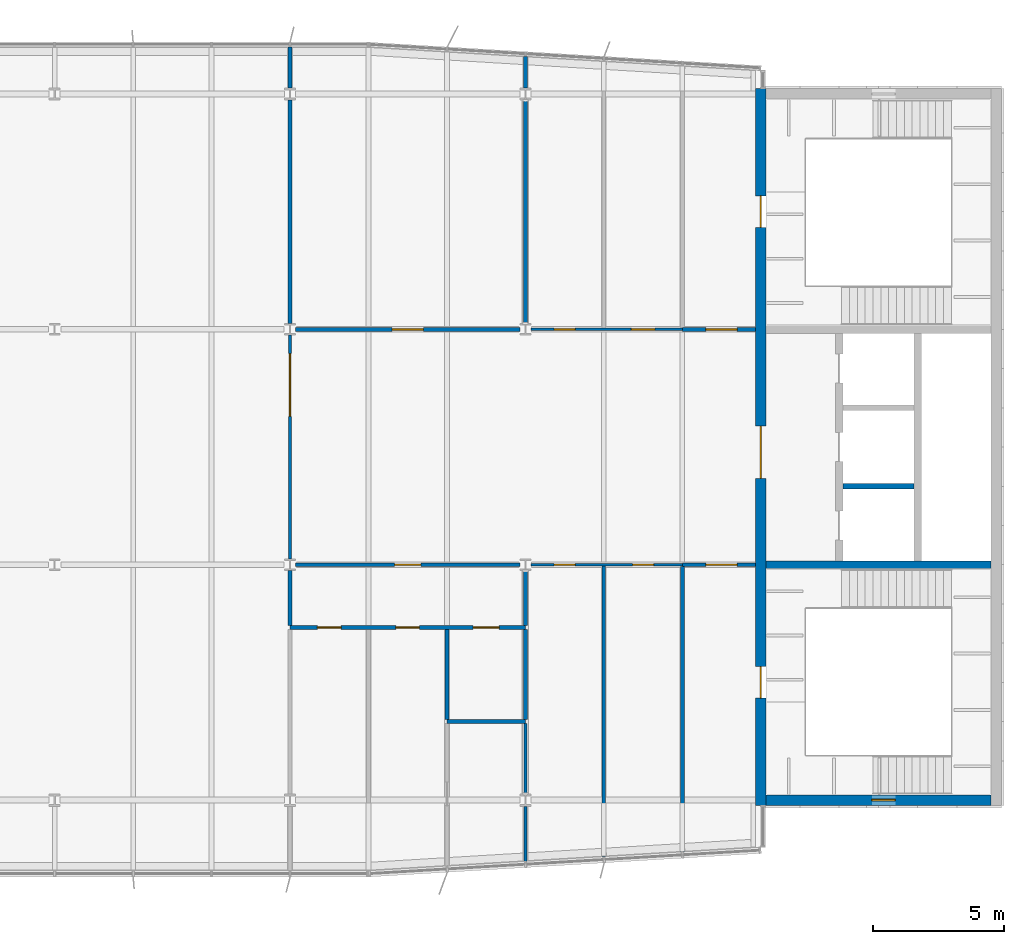
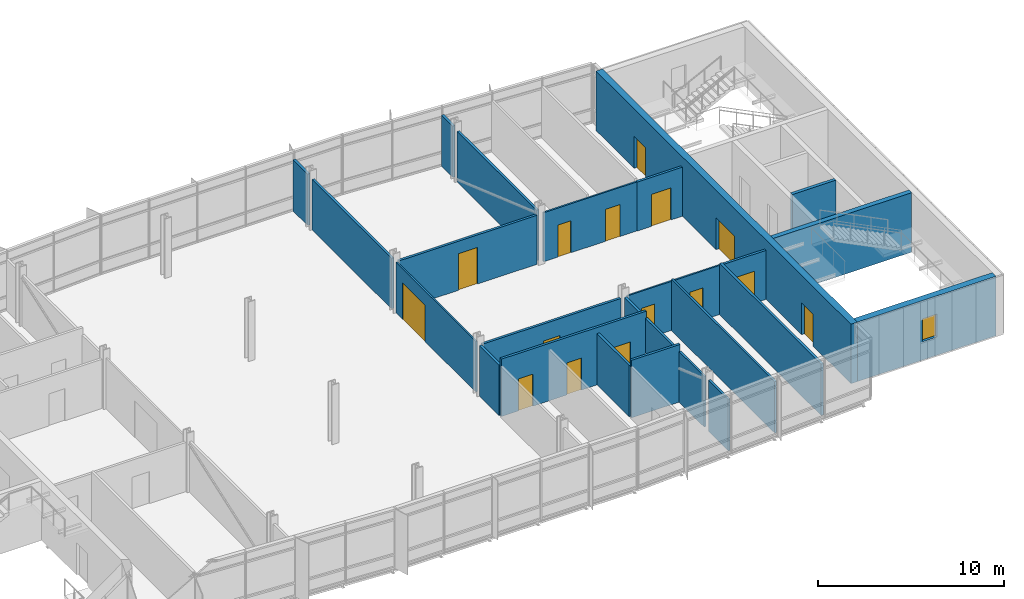
# One storey, part 16 of 21: 25 walls, 15 doors, 1 window, 16 openings.
"""IFC4 building model written with IfcOpenShell, lengths in metres."""

from ifc_helpers import new_model, si_unit, direction, frame, frame_2d, origin, place, context, subcontext, project, spatial, rectangle, extrude, material, layer, layer_set, type_object, element, fill, save


model = new_model("IFC4")

# Units and contexts
model_context = context("Model", 3, precision=1e-05, world=origin(), true_north=direction((0.0, 1.0)))
body_context = subcontext(model_context, "Body", "Model", "MODEL_VIEW")
ifc_project = project(units=[si_unit("LENGTHUNIT", "METRE"), si_unit("AREAUNIT", "SQUARE_METRE"), si_unit("VOLUMEUNIT", "CUBIC_METRE"), si_unit("PLANEANGLEUNIT", "RADIAN"), si_unit("MASSUNIT", "GRAM", prefix="KILO")], contexts=[model_context])

# Site, building, storey
site_placement = place(None, origin())
site = spatial("IfcSite", under=ifc_project, at=site_placement, CompositionType="ELEMENT")
building_placement = place(site_placement, origin())
building = spatial("IfcBuilding", under=site, at=building_placement, Name="Azimuth Sports and Learning Centre", CompositionType="ELEMENT")
storey_placement = place(building_placement, frame((0.0, 0.0, 32.39990234375)))
storey = spatial("IfcBuildingStorey", under=building, at=storey_placement, Name="L06", CompositionType="ELEMENT", Elevation=32.39990234375)

# Wall
ifc_material_1 = material(Name="Dense masonry blockwork", Category="masonry")
ifc_layer_1 = layer(ifc_material_1, 0.199951171875)
ifc_layer_set_1 = layer_set([ifc_layer_1], Name="Dense masonry blockwork")
wall_type_1 = type_object("IfcWallType", Name="Blockwork wall 200 EI 120", PredefinedType="SOLIDWALL", material=ifc_layer_set_1)
wall_1_placement = place(storey_placement, frame((111.14990234375, 102.0, 0.0), z_axis=(0.0, 0.0, 1.0), x_axis=(1.0, 0.0, 0.0)))
element("IfcWall", 1, at=wall_1_placement, inside=storey, type_object=wall_type_1, Name="SD-E-1-L06", PredefinedType="SOLIDWALL", context=body_context, shape_type="SweptSolid", body=[
    extrude(rectangle(XDim=2.7001953125, YDim=0.199951171875, at=frame_2d((1.35009765625, 0.0))), origin(), (0.0, 0.0, 1.0), 3.900146484375),
])

# Wall, openings, doors
ifc_material_2 = material(Name="Gypsum board on steel studs", Category="steel")
ifc_layer_2 = layer(ifc_material_2, 0.10009765625)
ifc_layer_set_2 = layer_set([ifc_layer_2], Name="Gypsum board on steel studs")
wall_type_2 = type_object("IfcWallType", Name="Partition 100 EI 30", PredefinedType="PARTITIONING", material=ifc_layer_set_2)
wall_2_placement = place(storey_placement, frame((99.2060546875, 99.0, 0.0), z_axis=(0.0, 0.0, 1.0), x_axis=(1.0, 0.0, 0.0)))
wall_2 = element("IfcWall", 2, at=wall_2_placement, inside=storey, type_object=wall_type_2, Name="Partition Dry Food Store 06.14 / Cold Store 06.15", PredefinedType="PARTITIONING", context=body_context, shape_type="SweptSolid", body=[
    extrude(rectangle(XDim=5.7939453125, YDim=0.10009765625, at=frame_2d((2.89697265625, 0.0))), origin(), (0.0, 0.0, 1.0), 3.22021484375),
])
opening_1_placement = place(wall_2_placement, frame((0.89404296875, 0.0, 0.0)))
opening_1 = element("IfcOpeningElement", 3, at=opening_1_placement, cuts=wall_2, Name="Opening D06-019", PredefinedType="OPENING", context=body_context, shape_type="SweptSolid", body=[
    extrude(rectangle(XDim=0.800048828125, YDim=2.10009765625, at=frame_2d((0.39990234375, 1.050048828125))), frame((0.0, 0.06103515625, 0.0), z_axis=(0.0, -1.0, 0.0), x_axis=(1.0, 0.0, 0.0)), (0.0, 0.0, 1.0), 0.1220703125),
])
opening_2_placement = place(wall_2_placement, frame((3.89404296875, 0.0, 0.0)))
opening_2 = element("IfcOpeningElement", 4, at=opening_2_placement, cuts=wall_2, Name="Opening D06-020", PredefinedType="OPENING", context=body_context, shape_type="SweptSolid", body=[
    extrude(rectangle(XDim=0.800048828125, YDim=2.10009765625, at=frame_2d((0.39990234375, 1.050048828125))), frame((0.0, 0.06103515625, 0.0), z_axis=(0.0, -1.0, 0.0), x_axis=(1.0, 0.0, 0.0)), (0.0, 0.0, 1.0), 0.1220703125),
])
ifc_material_3 = material(Name="Painted steel door set", Category="steel")
door_type_1 = type_object("IfcDoorType", Name="Fire door FD30S 800 x 2100", OperationType="NOTDEFINED", PredefinedType="DOOR", material=ifc_material_3)
door_1_placement = place(opening_1_placement, frame((0.800048828125, 0.0, 0.0), z_axis=(0.0, 0.0, 1.0), x_axis=(-1.0, 0.0, 0.0)))
door_1 = element("IfcDoor", 5, at=door_1_placement, inside=storey, type_object=door_type_1, Name="Door Dry Food Store 06.14 / Learning Street East", OperationType="SINGLE_SWING_RIGHT", OverallHeight=2.10009765625, OverallWidth=0.800048828125, PredefinedType="DOOR", context=body_context, shape_type="SweptSolid", body=[
    extrude(rectangle(XDim=0.800048828125, YDim=2.10009765625, at=frame_2d((0.39990234375, 1.050048828125))), frame((0.0, 0.02490234375, 0.0), z_axis=(0.0, -1.0, 0.0), x_axis=(1.0, 0.0, 0.0)), (0.0, 0.0, 1.0), 0.050048828125),
])
fill(opening_1, door_1)
door_2_placement = place(opening_2_placement, frame((0.800048828125, 0.0, 0.0), z_axis=(0.0, 0.0, 1.0), x_axis=(-1.0, 0.0, 0.0)))
door_2 = element("IfcDoor", 6, at=door_2_placement, inside=storey, type_object=door_type_1, Name="Door Cold Store 06.15 / Learning Street East", OperationType="SINGLE_SWING_LEFT", OverallHeight=2.10009765625, OverallWidth=0.800048828125, PredefinedType="DOOR", context=body_context, shape_type="SweptSolid", body=[
    extrude(rectangle(XDim=0.800048828125, YDim=2.10009765625, at=frame_2d((0.39990234375, 1.050048828125))), frame((0.0, 0.02490234375, 0.0), z_axis=(0.0, -1.0, 0.0), x_axis=(1.0, 0.0, 0.0)), (0.0, 0.0, 1.0), 0.050048828125),
])
fill(opening_2, door_2)

wall_3_placement = place(storey_placement, frame((99.2060546875, 108.0, 0.0), z_axis=(0.0, 0.0, 1.0), x_axis=(1.0, 0.0, 0.0)))
wall_3 = element("IfcWall", 7, at=wall_3_placement, inside=storey, type_object=wall_type_2, Name="Partition Cleaner Store 06.20 / Administration Office 06.21", PredefinedType="PARTITIONING", context=body_context, shape_type="SweptSolid", body=[
    extrude(rectangle(XDim=5.7939453125, YDim=0.10009765625, at=frame_2d((2.89697265625, 0.0))), origin(), (0.0, 0.0, 1.0), 3.22021484375),
])
opening_3_placement = place(wall_3_placement, frame((0.89404296875, 0.0, 0.0)))
opening_3 = element("IfcOpeningElement", 8, at=opening_3_placement, cuts=wall_3, Name="Opening D06-023", PredefinedType="OPENING", context=body_context, shape_type="SweptSolid", body=[
    extrude(rectangle(XDim=0.800048828125, YDim=2.10009765625, at=frame_2d((0.39990234375, 1.050048828125))), frame((0.0, 0.06103515625, 0.0), z_axis=(0.0, -1.0, 0.0), x_axis=(1.0, 0.0, 0.0)), (0.0, 0.0, 1.0), 0.1220703125),
])
opening_4_placement = place(wall_3_placement, frame((3.843994140625, 0.0, 0.0)))
opening_4 = element("IfcOpeningElement", 9, at=opening_4_placement, cuts=wall_3, Name="Opening D06-024", PredefinedType="OPENING", context=body_context, shape_type="SweptSolid", body=[
    extrude(rectangle(XDim=0.89990234375, YDim=2.10009765625, at=frame_2d((0.449951171875, 1.050048828125))), frame((0.0, 0.06103515625, 0.0), z_axis=(0.0, -1.0, 0.0), x_axis=(1.0, 0.0, 0.0)), (0.0, 0.0, 1.0), 0.1220703125),
])
door_3_placement = place(opening_3_placement, origin())
door_3 = element("IfcDoor", 10, at=door_3_placement, inside=storey, type_object=door_type_1, Name="Door Cleaner Store 06.20 / Learning Street East", OperationType="SINGLE_SWING_LEFT", OverallHeight=2.10009765625, OverallWidth=0.800048828125, PredefinedType="DOOR", context=body_context, shape_type="SweptSolid", body=[
    extrude(rectangle(XDim=0.800048828125, YDim=2.10009765625, at=frame_2d((0.39990234375, 1.050048828125))), frame((0.0, 0.02490234375, 0.0), z_axis=(0.0, -1.0, 0.0), x_axis=(1.0, 0.0, 0.0)), (0.0, 0.0, 1.0), 0.050048828125),
])
fill(opening_3, door_3)
ifc_material_4 = material(Name="Painted steel door set", Category="steel")
door_type_2 = type_object("IfcDoorType", Name="Fire door FD30S 900 x 2100", OperationType="NOTDEFINED", PredefinedType="DOOR", material=ifc_material_4)
door_4_placement = place(opening_4_placement, origin())
door_4 = element("IfcDoor", 11, at=door_4_placement, inside=storey, type_object=door_type_2, Name="Door Administration Office 06.21 / Learning Street East", OperationType="SINGLE_SWING_RIGHT", OverallHeight=2.10009765625, OverallWidth=0.89990234375, PredefinedType="DOOR", context=body_context, shape_type="SweptSolid", body=[
    extrude(rectangle(XDim=0.89990234375, YDim=2.10009765625, at=frame_2d((0.449951171875, 1.050048828125))), frame((0.0, 0.02490234375, 0.0), z_axis=(0.0, -1.0, 0.0), x_axis=(1.0, 0.0, 0.0)), (0.0, 0.0, 1.0), 0.050048828125),
])
fill(opening_4, door_4)

# Wall, opening, door
wall_4_placement = place(storey_placement, frame((90.0, 99.217529296875, 0.0), z_axis=(0.0, 0.0, 1.0), x_axis=(0.0, 1.0, 0.0)))
wall_4 = element("IfcWall", 12, at=wall_4_placement, inside=storey, type_object=wall_type_2, Name="Partition Canteen 06.08 / Learning Street East", PredefinedType="PARTITIONING", context=body_context, shape_type="SweptSolid", body=[
    extrude(rectangle(XDim=8.56494140625, YDim=0.10009765625, at=frame_2d((4.282470703125, 0.0))), origin(), (0.0, 0.0, 1.0), 3.320068359375),
])
opening_5_placement = place(wall_4_placement, frame((5.45751953125, 0.0, 0.0)))
opening_5 = element("IfcOpeningElement", 13, at=opening_5_placement, cuts=wall_4, Name="Opening D06-017", PredefinedType="OPENING", context=body_context, shape_type="SweptSolid", body=[
    extrude(rectangle(XDim=2.39990234375, YDim=2.39990234375, at=frame_2d((1.199951171875, 1.199951171875))), frame((0.0, 0.06103515625, 0.0), z_axis=(0.0, -1.0, 0.0), x_axis=(1.0, 0.0, 0.0)), (0.0, 0.0, 1.0), 0.1220703125),
])
ifc_material_5 = material(Name="Painted steel door set", Category="steel")
door_type_3 = type_object("IfcDoorType", Name="Fire door FD30S 2400 x 2400 double leaf", OperationType="DOUBLE_DOOR_SINGLE_SWING", PredefinedType="DOOR", material=ifc_material_5)
door_5_placement = place(opening_5_placement, origin())
door_5 = element("IfcDoor", 14, at=door_5_placement, inside=storey, type_object=door_type_3, Name="Door Canteen 06.08 / Learning Street East", OperationType="DOUBLE_DOOR_SINGLE_SWING", OverallHeight=2.39990234375, OverallWidth=2.39990234375, PredefinedType="DOOR", context=body_context, shape_type="SweptSolid", body=[
    extrude(rectangle(XDim=2.39990234375, YDim=2.39990234375, at=frame_2d((1.199951171875, 1.199951171875))), frame((0.0, 0.02490234375, 0.0), z_axis=(0.0, -1.0, 0.0), x_axis=(1.0, 0.0, 0.0)), (0.0, 0.0, 1.0), 0.050048828125),
])
fill(opening_5, door_5)

# Walls
ifc_material_6 = material(Name="Gypsum board on steel studs, acoustic", Category="steel")
ifc_layer_3 = layer(ifc_material_6, 0.125)
ifc_layer_set_3 = layer_set([ifc_layer_3], Name="Gypsum board on steel studs, acoustic")
wall_type_3 = type_object("IfcWallType", Name="Partition 125 EI 60", PredefinedType="PARTITIONING", material=ifc_layer_set_3)
wall_5_placement = place(storey_placement, frame((99.0, 87.659912109375, 0.0), z_axis=(0.0, 0.0, 1.0), x_axis=(0.0, 1.0, 0.0)))
element("IfcWall", 15, at=wall_5_placement, inside=storey, type_object=wall_type_3, Name="Partition Cleaner Store 06.13 / Dry Food Store 06.14", PredefinedType="PARTITIONING", context=body_context, shape_type="SweptSolid", body=[
    extrude(rectangle(XDim=2.10302734375, YDim=0.125, at=frame_2d((1.051513671875, 0.0))), origin(), (0.0, 0.0, 1.0), 3.3701171875),
])
wall_6_placement = place(storey_placement, frame((99.0, 90.237060546875, 0.0), z_axis=(0.0, 0.0, 1.0), x_axis=(0.0, 1.0, 0.0)))
element("IfcWall", 16, at=wall_6_placement, inside=storey, type_object=wall_type_3, Name="Partition Cleaner Store 06.13 / Dry Food Store 06.14", PredefinedType="PARTITIONING", context=body_context, shape_type="SweptSolid", body=[
    extrude(rectangle(XDim=2.68798828125, YDim=0.125, at=frame_2d((1.343994140625, 0.0))), origin(), (0.0, 0.0, 1.0), 3.320068359375),
])
wall_7_placement = place(storey_placement, frame((102.0, 87.840087890625, 0.0), z_axis=(0.0, 0.0, 1.0), x_axis=(0.0, 1.0, 0.0)))
element("IfcWall", 17, at=wall_7_placement, inside=storey, type_object=wall_type_3, Name="Partition Dry Food Store 06.14 / Cold Store 06.15", PredefinedType="PARTITIONING", context=body_context, shape_type="SweptSolid", body=[
    extrude(rectangle(XDim=11.10986328125, YDim=0.125, at=frame_2d((5.554931640625, 0.0))), origin(), (0.0, 0.0, 1.0), 3.3701171875),
])
ifc_material_7 = material(Name="Lightweight blockwork, rendered", Category="masonry")
ifc_layer_4 = layer(ifc_material_7, 0.14990234375)
ifc_layer_set_4 = layer_set([ifc_layer_4], Name="Lightweight blockwork, rendered")
wall_type_4 = type_object("IfcWallType", Name="Partition 150 EI 60", PredefinedType="PARTITIONING", material=ifc_layer_set_4)
wall_8_placement = place(storey_placement, frame((96.0, 93.0, 0.0), z_axis=(0.0, 0.0, 1.0), x_axis=(1.0, 0.0, 0.0)))
element("IfcWall", 18, at=wall_8_placement, inside=storey, type_object=wall_type_4, Name="Partition Accessible WC 06.12 / Cleaner Store 06.13", PredefinedType="PARTITIONING", context=body_context, shape_type="SweptSolid", body=[
    extrude(rectangle(XDim=3.0, YDim=0.14990234375, at=frame_2d((1.5, 0.0))), origin(), (0.0, 0.0, 1.0), 3.77001953125),
])

# Wall, openings, doors
wall_9_placement = place(storey_placement, frame((90.0, 96.60009765625, 0.0), z_axis=(0.0, 0.0, 1.0), x_axis=(1.0, 0.0, 0.0)))
wall_9 = element("IfcWall", 19, at=wall_9_placement, inside=storey, type_object=wall_type_4, Name="Partition WC Lobby 06.09 / Men WC 06.10", PredefinedType="PARTITIONING", context=body_context, shape_type="SweptSolid", body=[
    extrude(rectangle(XDim=9.0, YDim=0.14990234375, at=frame_2d((4.5, 0.0))), origin(), (0.0, 0.0, 1.0), 3.77001953125),
])
opening_6_placement = place(wall_9_placement, frame((1.050048828125, 0.0, 0.0)))
opening_6 = element("IfcOpeningElement", 20, at=opening_6_placement, cuts=wall_9, Name="Opening D06-025", PredefinedType="OPENING", context=body_context, shape_type="SweptSolid", body=[
    extrude(rectangle(XDim=0.89990234375, YDim=2.10009765625, at=frame_2d((0.449951171875, 1.050048828125))), frame((0.0, 0.0859375, 0.0), z_axis=(0.0, -1.0, 0.0), x_axis=(1.0, 0.0, 0.0)), (0.0, 0.0, 1.0), 0.171875),
])
opening_7_placement = place(wall_9_placement, frame((4.050048828125, 0.0, 0.0)))
opening_7 = element("IfcOpeningElement", 21, at=opening_7_placement, cuts=wall_9, Name="Opening D06-026", PredefinedType="OPENING", context=body_context, shape_type="SweptSolid", body=[
    extrude(rectangle(XDim=0.89990234375, YDim=2.10009765625, at=frame_2d((0.449951171875, 1.050048828125))), frame((0.0, 0.0859375, 0.0), z_axis=(0.0, -1.0, 0.0), x_axis=(1.0, 0.0, 0.0)), (0.0, 0.0, 1.0), 0.171875),
])
opening_8_placement = place(wall_9_placement, frame((7.0, 0.0, 0.0)))
opening_8 = element("IfcOpeningElement", 22, at=opening_8_placement, cuts=wall_9, Name="Opening D06-027", PredefinedType="OPENING", context=body_context, shape_type="SweptSolid", body=[
    extrude(rectangle(XDim=1.0, YDim=2.10009765625, at=frame_2d((0.5, 1.050048828125))), frame((0.0, 0.0859375, 0.0), z_axis=(0.0, -1.0, 0.0), x_axis=(1.0, 0.0, 0.0)), (0.0, 0.0, 1.0), 0.171875),
])
ifc_material_8 = material(Name="Painted steel door set", Category="steel")
door_type_4 = type_object("IfcDoorType", Name="Fire door FD60 1000 x 2100", OperationType="NOTDEFINED", PredefinedType="DOOR", material=ifc_material_8)
door_6_placement = place(opening_8_placement, frame((1.0, 0.0, 0.0), z_axis=(0.0, 0.0, 1.0), x_axis=(-1.0, 0.0, 0.0)))
door_6 = element("IfcDoor", 23, at=door_6_placement, inside=storey, type_object=door_type_4, Name="Door WC Lobby 06.09 / Accessible WC 06.12", OperationType="SINGLE_SWING_RIGHT", OverallHeight=2.10009765625, OverallWidth=1.0, PredefinedType="DOOR", context=body_context, shape_type="SweptSolid", body=[
    extrude(rectangle(XDim=1.0, YDim=2.10009765625, at=frame_2d((0.5, 1.050048828125))), frame((0.0, 0.02490234375, 0.0), z_axis=(0.0, -1.0, 0.0), x_axis=(1.0, 0.0, 0.0)), (0.0, 0.0, 1.0), 0.050048828125),
])
fill(opening_8, door_6)
ifc_material_9 = material(Name="Painted steel door set", Category="steel")
door_type_5 = type_object("IfcDoorType", Name="Fire door FD60 900 x 2100", OperationType="NOTDEFINED", PredefinedType="DOOR", material=ifc_material_9)
door_7_placement = place(opening_6_placement, origin())
door_7 = element("IfcDoor", 24, at=door_7_placement, inside=storey, type_object=door_type_5, Name="Door WC Lobby 06.09 / Men WC 06.10", OperationType="SINGLE_SWING_LEFT", OverallHeight=2.10009765625, OverallWidth=0.89990234375, PredefinedType="DOOR", context=body_context, shape_type="SweptSolid", body=[
    extrude(rectangle(XDim=0.89990234375, YDim=2.10009765625, at=frame_2d((0.449951171875, 1.050048828125))), frame((0.0, 0.02490234375, 0.0), z_axis=(0.0, -1.0, 0.0), x_axis=(1.0, 0.0, 0.0)), (0.0, 0.0, 1.0), 0.050048828125),
])
fill(opening_6, door_7)
door_8_placement = place(opening_7_placement, origin())
door_8 = element("IfcDoor", 25, at=door_8_placement, inside=storey, type_object=door_type_5, Name="Door WC Lobby 06.09 / Women WC 06.11", OperationType="SINGLE_SWING_LEFT", OverallHeight=2.10009765625, OverallWidth=0.89990234375, PredefinedType="DOOR", context=body_context, shape_type="SweptSolid", body=[
    extrude(rectangle(XDim=0.89990234375, YDim=2.10009765625, at=frame_2d((0.449951171875, 1.050048828125))), frame((0.0, 0.02490234375, 0.0), z_axis=(0.0, -1.0, 0.0), x_axis=(1.0, 0.0, 0.0)), (0.0, 0.0, 1.0), 0.050048828125),
])
fill(opening_7, door_8)

# Wall, opening, door
wall_10_placement = place(storey_placement, frame((90.2060546875, 99.0, 0.0), z_axis=(0.0, 0.0, 1.0), x_axis=(1.0, 0.0, 0.0)))
wall_10 = element("IfcWall", 26, at=wall_10_placement, inside=storey, type_object=wall_type_4, Name="Partition WC Lobby 06.09 / Learning Street East", PredefinedType="PARTITIONING", context=body_context, shape_type="SweptSolid", body=[
    extrude(rectangle(XDim=8.587890625, YDim=0.14990234375, at=frame_2d((4.2939453125, 0.0))), origin(), (0.0, 0.0, 1.0), 3.22021484375),
])
opening_9_placement = place(wall_10_placement, frame((3.7939453125, 0.0, 0.0)))
opening_9 = element("IfcOpeningElement", 27, at=opening_9_placement, cuts=wall_10, Name="Opening D06-018", PredefinedType="OPENING", context=body_context, shape_type="SweptSolid", body=[
    extrude(rectangle(XDim=1.0, YDim=2.10009765625, at=frame_2d((0.5, 1.050048828125))), frame((0.0, 0.0859375, 0.0), z_axis=(0.0, -1.0, 0.0), x_axis=(1.0, 0.0, 0.0)), (0.0, 0.0, 1.0), 0.171875),
])
door_9_placement = place(opening_9_placement, frame((1.0, 0.0, 0.0), z_axis=(0.0, 0.0, 1.0), x_axis=(-1.0, 0.0, 0.0)))
door_9 = element("IfcDoor", 28, at=door_9_placement, inside=storey, type_object=door_type_4, Name="Door WC Lobby 06.09 / Learning Street East", OperationType="SINGLE_SWING_LEFT", OverallHeight=2.10009765625, OverallWidth=1.0, PredefinedType="DOOR", context=body_context, shape_type="SweptSolid", body=[
    extrude(rectangle(XDim=1.0, YDim=2.10009765625, at=frame_2d((0.5, 1.050048828125))), frame((0.0, 0.02490234375, 0.0), z_axis=(0.0, -1.0, 0.0), x_axis=(1.0, 0.0, 0.0)), (0.0, 0.0, 1.0), 0.050048828125),
])
fill(opening_9, door_9)

wall_11_placement = place(storey_placement, frame((105.0, 99.0, 0.0), z_axis=(0.0, 0.0, 1.0), x_axis=(1.0, 0.0, 0.0)))
wall_11 = element("IfcWall", 29, at=wall_11_placement, inside=storey, type_object=wall_type_4, Name="Partition Stair Lobby E1 06.03 / Learning Street East", PredefinedType="PARTITIONING", context=body_context, shape_type="SweptSolid", body=[
    extrude(rectangle(XDim=2.800048828125, YDim=0.14990234375, at=frame_2d((1.39990234375, 0.0))), origin(), (0.0, 0.0, 1.0), 3.22021484375),
])
opening_10_placement = place(wall_11_placement, frame((0.89990234375, 0.0, 0.0)))
opening_10 = element("IfcOpeningElement", 30, at=opening_10_placement, cuts=wall_11, Name="Opening D06-013", PredefinedType="OPENING", context=body_context, shape_type="SweptSolid", body=[
    extrude(rectangle(XDim=1.199951171875, YDim=2.10009765625, at=frame_2d((0.60009765625, 1.050048828125))), frame((0.0, 0.0859375, 0.0), z_axis=(0.0, -1.0, 0.0), x_axis=(1.0, 0.0, 0.0)), (0.0, 0.0, 1.0), 0.171875),
])
ifc_material_10 = material(Name="Painted steel door set", Category="steel")
door_type_6 = type_object("IfcDoorType", Name="Fire door FD60 1200 x 2100", OperationType="NOTDEFINED", PredefinedType="DOOR", material=ifc_material_10)
door_10_placement = place(opening_10_placement, frame((1.199951171875, 0.0, 0.0), z_axis=(0.0, 0.0, 1.0), x_axis=(-1.0, 0.0, 0.0)))
door_10 = element("IfcDoor", 31, at=door_10_placement, inside=storey, type_object=door_type_6, Name="Door Stair Lobby E1 06.03 / Learning Street East", OperationType="SINGLE_SWING_LEFT", OverallHeight=2.10009765625, OverallWidth=1.199951171875, PredefinedType="DOOR", context=body_context, shape_type="SweptSolid", body=[
    extrude(rectangle(XDim=1.199951171875, YDim=2.10009765625, at=frame_2d((0.60009765625, 1.050048828125))), frame((0.0, 0.02490234375, 0.0), z_axis=(0.0, -1.0, 0.0), x_axis=(1.0, 0.0, 0.0)), (0.0, 0.0, 1.0), 0.050048828125),
])
fill(opening_10, door_10)

wall_12_placement = place(storey_placement, frame((90.2060546875, 108.0, 0.0), z_axis=(0.0, 0.0, 1.0), x_axis=(1.0, 0.0, 0.0)))
wall_12 = element("IfcWall", 32, at=wall_12_placement, inside=storey, type_object=wall_type_4, Name="Partition Kitchen 06.19 / Learning Street East", PredefinedType="PARTITIONING", context=body_context, shape_type="SweptSolid", body=[
    extrude(rectangle(XDim=8.587890625, YDim=0.14990234375, at=frame_2d((4.2939453125, 0.0))), origin(), (0.0, 0.0, 1.0), 3.22021484375),
])
opening_11_placement = place(wall_12_placement, frame((3.694091796875, 0.0, 0.0)))
opening_11 = element("IfcOpeningElement", 33, at=opening_11_placement, cuts=wall_12, Name="Opening D06-022", PredefinedType="OPENING", context=body_context, shape_type="SweptSolid", body=[
    extrude(rectangle(XDim=1.199951171875, YDim=2.39990234375, at=frame_2d((0.60009765625, 1.199951171875))), frame((0.0, 0.0859375, 0.0), z_axis=(0.0, -1.0, 0.0), x_axis=(1.0, 0.0, 0.0)), (0.0, 0.0, 1.0), 0.171875),
])
ifc_material_11 = material(Name="Painted steel door set", Category="steel")
door_type_7 = type_object("IfcDoorType", Name="Fire door FD60 1200 x 2400", OperationType="NOTDEFINED", PredefinedType="DOOR", material=ifc_material_11)
door_11_placement = place(opening_11_placement, origin())
door_11 = element("IfcDoor", 34, at=door_11_placement, inside=storey, type_object=door_type_7, Name="Door Kitchen 06.19 / Learning Street East", OperationType="SINGLE_SWING_RIGHT", OverallHeight=2.39990234375, OverallWidth=1.199951171875, PredefinedType="DOOR", context=body_context, shape_type="SweptSolid", body=[
    extrude(rectangle(XDim=1.199951171875, YDim=2.39990234375, at=frame_2d((0.60009765625, 1.199951171875))), frame((0.0, 0.02490234375, 0.0), z_axis=(0.0, -1.0, 0.0), x_axis=(1.0, 0.0, 0.0)), (0.0, 0.0, 1.0), 0.050048828125),
])
fill(opening_11, door_11)

wall_13_placement = place(storey_placement, frame((105.0, 108.0, 0.0), z_axis=(0.0, 0.0, 1.0), x_axis=(1.0, 0.0, 0.0)))
wall_13 = element("IfcWall", 35, at=wall_13_placement, inside=storey, type_object=wall_type_4, Name="Partition Stair Lobby E2 06.04 / Learning Street East", PredefinedType="PARTITIONING", context=body_context, shape_type="SweptSolid", body=[
    extrude(rectangle(XDim=2.800048828125, YDim=0.14990234375, at=frame_2d((1.39990234375, 0.0))), origin(), (0.0, 0.0, 1.0), 3.22021484375),
])
opening_12_placement = place(wall_13_placement, frame((0.89990234375, 0.0, 0.0)))
opening_12 = element("IfcOpeningElement", 36, at=opening_12_placement, cuts=wall_13, Name="Opening D06-014", PredefinedType="OPENING", context=body_context, shape_type="SweptSolid", body=[
    extrude(rectangle(XDim=1.199951171875, YDim=2.10009765625, at=frame_2d((0.60009765625, 1.050048828125))), frame((0.0, 0.0859375, 0.0), z_axis=(0.0, -1.0, 0.0), x_axis=(1.0, 0.0, 0.0)), (0.0, 0.0, 1.0), 0.171875),
])
door_12_placement = place(opening_12_placement, origin())
door_12 = element("IfcDoor", 37, at=door_12_placement, inside=storey, type_object=door_type_6, Name="Door Stair Lobby E2 06.04 / Learning Street East", OperationType="SINGLE_SWING_RIGHT", OverallHeight=2.10009765625, OverallWidth=1.199951171875, PredefinedType="DOOR", context=body_context, shape_type="SweptSolid", body=[
    extrude(rectangle(XDim=1.199951171875, YDim=2.10009765625, at=frame_2d((0.60009765625, 1.050048828125))), frame((0.0, 0.02490234375, 0.0), z_axis=(0.0, -1.0, 0.0), x_axis=(1.0, 0.0, 0.0)), (0.0, 0.0, 1.0), 0.050048828125),
])
fill(opening_12, door_12)

# Walls
wall_14_placement = place(storey_placement, frame((90.0, 96.675048828125, 0.0), z_axis=(0.0, 0.0, 1.0), x_axis=(0.0, 1.0, 0.0)))
element("IfcWall", 38, at=wall_14_placement, inside=storey, type_object=wall_type_4, Name="Partition Canteen 06.08 / WC Lobby 06.09", PredefinedType="PARTITIONING", context=body_context, shape_type="SweptSolid", body=[
    extrude(rectangle(XDim=2.107421875, YDim=0.14990234375, at=frame_2d((1.0537109375, 0.0))), origin(), (0.0, 0.0, 1.0), 3.320068359375),
])
wall_15_placement = place(storey_placement, frame((90.0, 108.217529296875, 0.0), z_axis=(0.0, 0.0, 1.0), x_axis=(0.0, 1.0, 0.0)))
element("IfcWall", 39, at=wall_15_placement, inside=storey, type_object=wall_type_4, Name="Partition Canteen 06.08 / Kitchen 06.19", PredefinedType="PARTITIONING", context=body_context, shape_type="SweptSolid", body=[
    extrude(rectangle(XDim=8.54541015625, YDim=0.14990234375, at=frame_2d((4.272705078125, 0.0))), origin(), (0.0, 0.0, 1.0), 3.320068359375),
])
wall_16_placement = place(storey_placement, frame((90.0, 117.237060546875, 0.0), z_axis=(0.0, 0.0, 1.0), x_axis=(0.0, 1.0, 0.0)))
element("IfcWall", 40, at=wall_16_placement, inside=storey, type_object=wall_type_4, Name="Partition Canteen 06.08 / Kitchen 06.19", PredefinedType="PARTITIONING", context=body_context, shape_type="SweptSolid", body=[
    extrude(rectangle(XDim=1.56298828125, YDim=0.14990234375, at=frame_2d((0.781494140625, 0.0))), origin(), (0.0, 0.0, 1.0), 3.3701171875),
])
wall_17_placement = place(storey_placement, frame((96.0, 93.074951171875, 0.0), z_axis=(0.0, 0.0, 1.0), x_axis=(0.0, 1.0, 0.0)))
element("IfcWall", 41, at=wall_17_placement, inside=storey, type_object=wall_type_4, Name="Partition Women WC 06.11 / Accessible WC 06.12", PredefinedType="PARTITIONING", context=body_context, shape_type="SweptSolid", body=[
    extrude(rectangle(XDim=3.449951171875, YDim=0.14990234375, at=frame_2d((1.72509765625, 0.0))), origin(), (0.0, 0.0, 1.0), 3.3701171875),
])
wall_18_placement = place(storey_placement, frame((99.0, 93.074951171875, 0.0), z_axis=(0.0, 0.0, 1.0), x_axis=(0.0, 1.0, 0.0)))
element("IfcWall", 42, at=wall_18_placement, inside=storey, type_object=wall_type_4, Name="Partition WC Lobby 06.09 / Accessible WC 06.12", PredefinedType="PARTITIONING", context=body_context, shape_type="SweptSolid", body=[
    extrude(rectangle(XDim=3.449951171875, YDim=0.14990234375, at=frame_2d((1.72509765625, 0.0))), origin(), (0.0, 0.0, 1.0), 3.320068359375),
])
wall_19_placement = place(storey_placement, frame((99.0, 96.675048828125, 0.0), z_axis=(0.0, 0.0, 1.0), x_axis=(0.0, 1.0, 0.0)))
element("IfcWall", 43, at=wall_19_placement, inside=storey, type_object=wall_type_4, Name="Partition WC Lobby 06.09 / Accessible WC 06.12", PredefinedType="PARTITIONING", context=body_context, shape_type="SweptSolid", body=[
    extrude(rectangle(XDim=2.107421875, YDim=0.14990234375, at=frame_2d((1.0537109375, 0.0))), origin(), (0.0, 0.0, 1.0), 3.320068359375),
])
wall_20_placement = place(storey_placement, frame((99.0, 108.217529296875, 0.0), z_axis=(0.0, 0.0, 1.0), x_axis=(0.0, 1.0, 0.0)))
element("IfcWall", 44, at=wall_20_placement, inside=storey, type_object=wall_type_4, Name="Partition Kitchen 06.19 / Cleaner Store 06.20", PredefinedType="PARTITIONING", context=body_context, shape_type="SweptSolid", body=[
    extrude(rectangle(XDim=8.54541015625, YDim=0.14990234375, at=frame_2d((4.272705078125, 0.0))), origin(), (0.0, 0.0, 1.0), 3.320068359375),
])
wall_21_placement = place(storey_placement, frame((99.0, 117.237060546875, 0.0), z_axis=(0.0, 0.0, 1.0), x_axis=(0.0, 1.0, 0.0)))
element("IfcWall", 45, at=wall_21_placement, inside=storey, type_object=wall_type_4, Name="Partition Kitchen 06.19 / Cleaner Store 06.20", PredefinedType="PARTITIONING", context=body_context, shape_type="SweptSolid", body=[
    extrude(rectangle(XDim=1.202880859375, YDim=0.14990234375, at=frame_2d((0.6015625, 0.0))), origin(), (0.0, 0.0, 1.0), 3.3701171875),
])
wall_22_placement = place(storey_placement, frame((105.0, 88.02001953125, 0.0), z_axis=(0.0, 0.0, 1.0), x_axis=(0.0, 1.0, 0.0)))
element("IfcWall", 46, at=wall_22_placement, inside=storey, type_object=wall_type_4, Name="Partition Stair Lobby E1 06.03 / Cold Store 06.15", PredefinedType="PARTITIONING", context=body_context, shape_type="SweptSolid", body=[
    extrude(rectangle(XDim=10.905029296875, YDim=0.14990234375, at=frame_2d((5.45263671875, 0.0))), origin(), (0.0, 0.0, 1.0), 3.3701171875),
])
ifc_material_12 = material(Name="Concrete C40/50", Category="concrete")
ifc_layer_5 = layer(ifc_material_12, 0.300048828125)
ifc_layer_set_5 = layer_set([ifc_layer_5], Name="Concrete C40/50")
wall_type_5 = type_object("IfcWallType", Name="RC core wall 300", PredefinedType="SHEAR", material=ifc_layer_set_5)
wall_23_placement = place(storey_placement, frame((108.199951171875, 99.0, 0.0), z_axis=(0.0, 0.0, 1.0), x_axis=(1.0, 0.0, 0.0)))
element("IfcWall", 47, at=wall_23_placement, inside=storey, type_object=wall_type_5, Name="Core wall E D1 L06", PredefinedType="SHEAR", context=body_context, shape_type="SweptSolid", body=[
    extrude(rectangle(XDim=8.60009765625, YDim=0.300048828125, at=frame_2d((4.300048828125, 0.0))), origin(), (0.0, 0.0, 1.0), 3.900146484375),
])

# Wall, openings, doors
ifc_material_13 = material(Name="Concrete C40/50", Category="concrete")
ifc_layer_6 = layer(ifc_material_13, 0.39990234375)
ifc_layer_set_6 = layer_set([ifc_layer_6], Name="Concrete C40/50")
wall_type_6 = type_object("IfcWallType", Name="RC core wall 400", PredefinedType="SHEAR", material=ifc_layer_set_6)
wall_24_placement = place(storey_placement, frame((108.0, 89.800048828125, 0.0), z_axis=(0.0, 0.0, 1.0), x_axis=(0.0, 1.0, 0.0)))
wall_24 = element("IfcWall", 48, at=wall_24_placement, inside=storey, type_object=wall_type_6, Name="Core wall E W L06", PredefinedType="SHEAR", context=body_context, shape_type="SweptSolid", body=[
    extrude(rectangle(XDim=27.39990234375, YDim=0.39990234375, at=frame_2d((13.699951171875, 0.0))), origin(), (0.0, 0.0, 1.0), 3.900146484375),
])
opening_13_placement = place(wall_24_placement, frame((4.10009765625, 0.0, 0.0)))
opening_13 = element("IfcOpeningElement", 49, at=opening_13_placement, cuts=wall_24, Name="Opening D06-003", PredefinedType="OPENING", context=body_context, shape_type="SweptSolid", body=[
    extrude(rectangle(XDim=1.199951171875, YDim=2.10009765625, at=frame_2d((0.60009765625, 1.050048828125))), frame((0.0, 0.2109375, 0.0), z_axis=(0.0, -1.0, 0.0), x_axis=(1.0, 0.0, 0.0)), (0.0, 0.0, 1.0), 0.421875),
])
opening_14_placement = place(wall_24_placement, frame((22.10009765625, 0.0, 0.0)))
opening_14 = element("IfcOpeningElement", 50, at=opening_14_placement, cuts=wall_24, Name="Opening D06-004", PredefinedType="OPENING", context=body_context, shape_type="SweptSolid", body=[
    extrude(rectangle(XDim=1.199951171875, YDim=2.10009765625, at=frame_2d((0.60009765625, 1.050048828125))), frame((0.0, 0.2109375, 0.0), z_axis=(0.0, -1.0, 0.0), x_axis=(1.0, 0.0, 0.0)), (0.0, 0.0, 1.0), 0.421875),
])
opening_15_placement = place(wall_24_placement, frame((12.5, 0.0, 0.0)))
opening_15 = element("IfcOpeningElement", 51, at=opening_15_placement, cuts=wall_24, Name="Opening D06-032", PredefinedType="OPENING", context=body_context, shape_type="SweptSolid", body=[
    extrude(rectangle(XDim=2.0, YDim=2.10009765625, at=frame_2d((1.0, 1.050048828125))), frame((0.0, 0.2109375, 0.0), z_axis=(0.0, -1.0, 0.0), x_axis=(1.0, 0.0, 0.0)), (0.0, 0.0, 1.0), 0.421875),
])
ifc_material_14 = material(Name="Painted steel door set", Category="steel")
door_type_8 = type_object("IfcDoorType", Name="Fire door FD120 2000 x 2100 double leaf", OperationType="DOUBLE_DOOR_SINGLE_SWING", PredefinedType="DOOR", material=ifc_material_14)
door_13_placement = place(opening_15_placement, frame((2.0, 0.0, 0.0), z_axis=(0.0, 0.0, 1.0), x_axis=(-1.0, 0.0, 0.0)))
door_13 = element("IfcDoor", 52, at=door_13_placement, inside=storey, type_object=door_type_8, Name="Door Lift Lobby E 06.06 / Learning Street East", OperationType="DOUBLE_DOOR_SINGLE_SWING", OverallHeight=2.10009765625, OverallWidth=2.0, PredefinedType="DOOR", context=body_context, shape_type="SweptSolid", body=[
    extrude(rectangle(XDim=2.0, YDim=2.10009765625, at=frame_2d((1.0, 1.050048828125))), frame((0.0, 0.02490234375, 0.0), z_axis=(0.0, -1.0, 0.0), x_axis=(1.0, 0.0, 0.0)), (0.0, 0.0, 1.0), 0.050048828125),
])
fill(opening_15, door_13)
ifc_material_15 = material(Name="Steel", Category="steel")
door_type_9 = type_object("IfcDoorType", Name="Stair fire door 1200 x 2100", OperationType="NOTDEFINED", PredefinedType="DOOR", material=ifc_material_15)
door_14_placement = place(opening_13_placement, frame((1.199951171875, 0.0, 0.0), z_axis=(0.0, 0.0, 1.0), x_axis=(-1.0, 0.0, 0.0)))
door_14 = element("IfcDoor", 53, at=door_14_placement, inside=storey, type_object=door_type_9, Name="Stair door E1 L06", OperationType="SINGLE_SWING_RIGHT", OverallHeight=2.10009765625, OverallWidth=1.199951171875, PredefinedType="DOOR", context=body_context, shape_type="SweptSolid", body=[
    extrude(rectangle(XDim=1.199951171875, YDim=2.10009765625, at=frame_2d((0.60009765625, 1.050048828125))), frame((0.0, 0.02490234375, 0.0), z_axis=(0.0, -1.0, 0.0), x_axis=(1.0, 0.0, 0.0)), (0.0, 0.0, 1.0), 0.050048828125),
])
fill(opening_13, door_14)
door_15_placement = place(opening_14_placement, frame((1.199951171875, 0.0, 0.0), z_axis=(0.0, 0.0, 1.0), x_axis=(-1.0, 0.0, 0.0)))
door_15 = element("IfcDoor", 54, at=door_15_placement, inside=storey, type_object=door_type_9, Name="Stair door E2 L06", OperationType="SINGLE_SWING_RIGHT", OverallHeight=2.10009765625, OverallWidth=1.199951171875, PredefinedType="DOOR", context=body_context, shape_type="SweptSolid", body=[
    extrude(rectangle(XDim=1.199951171875, YDim=2.10009765625, at=frame_2d((0.60009765625, 1.050048828125))), frame((0.0, 0.02490234375, 0.0), z_axis=(0.0, -1.0, 0.0), x_axis=(1.0, 0.0, 0.0)), (0.0, 0.0, 1.0), 0.050048828125),
])
fill(opening_14, door_15)

# Wall, opening, window
ifc_material_16 = material(Name="Concrete C40/50", Category="concrete")
ifc_layer_7 = layer(ifc_material_16, 0.39990234375)
ifc_layer_set_7 = layer_set([ifc_layer_7], Name="Concrete C40/50")
wall_type_7 = type_object("IfcWallType", Name="RC external core wall 400", PredefinedType="SHEAR", material=ifc_layer_set_7)
wall_25_placement = place(storey_placement, frame((108.199951171875, 90.0, 0.0), z_axis=(0.0, 0.0, 1.0), x_axis=(1.0, 0.0, 0.0)))
wall_25 = element("IfcWall", 55, at=wall_25_placement, inside=storey, type_object=wall_type_7, Name="Core wall E S L06", PredefinedType="SHEAR", context=body_context, shape_type="SweptSolid", body=[
    extrude(rectangle(XDim=8.60009765625, YDim=0.39990234375, at=frame_2d((4.300048828125, 0.0))), origin(), (0.0, 0.0, 1.0), 3.900146484375),
])
opening_16_placement = place(wall_25_placement, frame((4.050048828125, 0.0, 1.199951171875)))
opening_16 = element("IfcOpeningElement", 56, at=opening_16_placement, cuts=wall_25, Name="Opening W06-002", PredefinedType="OPENING", context=body_context, shape_type="SweptSolid", body=[
    extrude(rectangle(XDim=0.89990234375, YDim=1.5, at=frame_2d((0.449951171875, 0.75))), frame((0.0, 0.2109375, 0.0), z_axis=(0.0, -1.0, 0.0), x_axis=(1.0, 0.0, 0.0)), (0.0, 0.0, 1.0), 0.421875),
])
ifc_material_17 = material(Name="Aluminium and glass", Category="aluminium")
window_type = type_object("IfcWindowType", Name="Stair window tower core 900x1500", PartitioningType="SINGLE_PANEL", PredefinedType="WINDOW", material=ifc_material_17)
window_placement = place(opening_16_placement, origin())
window = element("IfcWindow", 57, at=window_placement, inside=storey, type_object=window_type, Name="Window W06-002", OverallHeight=1.5, OverallWidth=0.89990234375, PartitioningType="SINGLE_PANEL", PredefinedType="WINDOW", context=body_context, shape_type="SweptSolid", body=[
    extrude(rectangle(XDim=0.89990234375, YDim=1.5, at=frame_2d((0.449951171875, 0.75))), frame((0.0, 0.030029296875, 0.0), z_axis=(0.0, -1.0, 0.0), x_axis=(1.0, 0.0, 0.0)), (0.0, 0.0, 1.0), 0.06005859375),
])
fill(opening_16, window)

save(model, "model.ifc")
